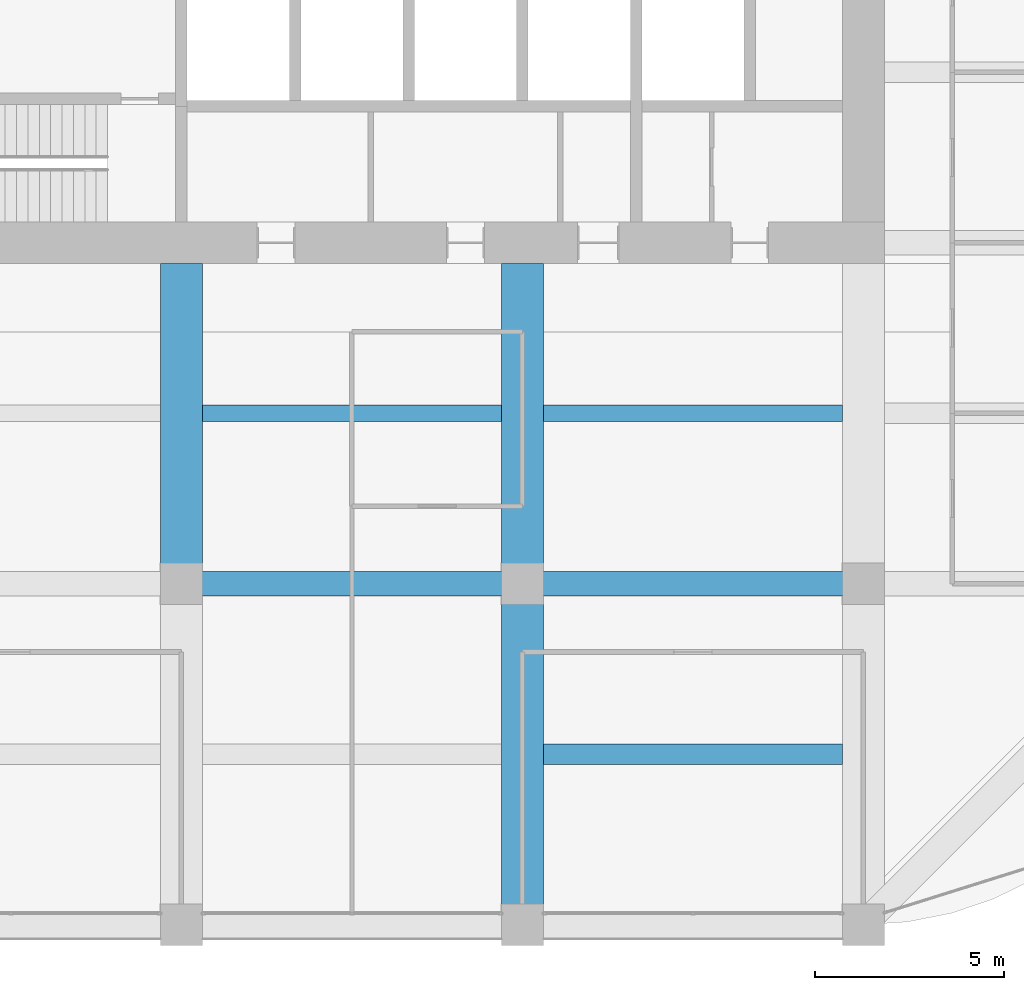
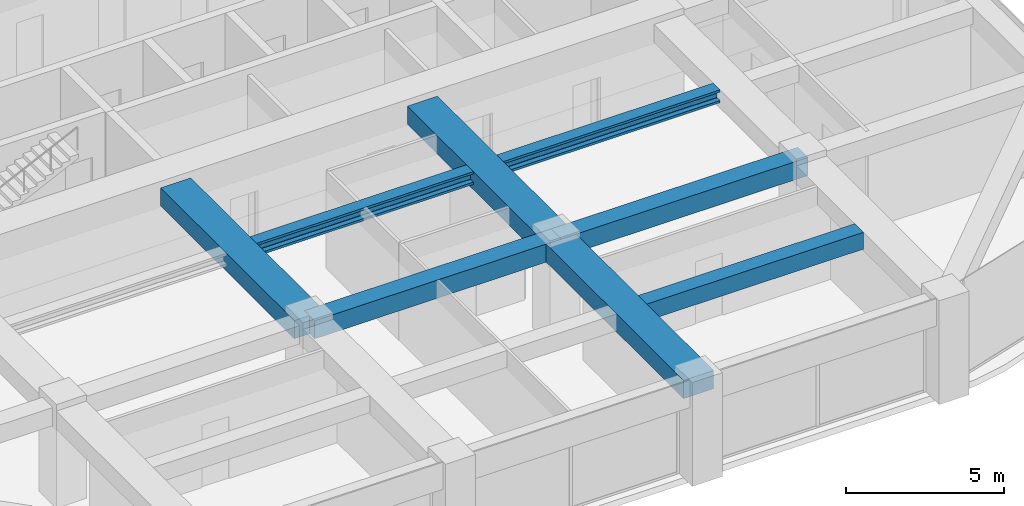
# One storey, part 12 of 44: 8 beams.
"""IFC4 building model written with IfcOpenShell, lengths in metres."""

import ifcopenshell
import ifcopenshell.guid

model = None  # the IFC model being written
_history = None  # IfcOwnerHistory: only IFC2X3 demands one
_inside = {}  # id of a spatial element -> (the spatial element, [elements in it])
_under = {}  # id of a project, library or spatial element -> (it, [spatial elements below it])
_declared = {}  # id of a project -> (the project, [libraries it declares])
_typed = {}  # id of a type object -> (the type object, [elements of that type])
_made_of = {}  # id of a material, layer set ... -> (it, [elements and type objects made of it])


def new_model(schema):
    """Start an empty IFC model of exactly this schema.

    Asked for "IFC4X3", IfcOpenShell would pick the latest addendum, in which some entities
    have other attributes; the version numbers below select the first issue.
    IFC2X3 requires an IfcOwnerHistory on every rooted entity: one is made here for all.
    """
    global model, _history
    if schema == "IFC4X3":
        model = ifcopenshell.file(schema_version=(4, 3, 0, 0))
    else:
        model = ifcopenshell.file(schema=schema)
    _inside.clear()
    _under.clear()
    _declared.clear()
    _typed.clear()
    _made_of.clear()
    _history = None
    if model.schema == "IFC2X3":
        org = make("IfcOrganization", Name="unknown")
        user = make(
            "IfcPersonAndOrganization",
            ThePerson=make("IfcPerson", FamilyName="unknown"),
            TheOrganization=org,
        )
        app = make(
            "IfcApplication",
            ApplicationDeveloper=org,
            Version="unknown",
            ApplicationFullName="unknown",
            ApplicationIdentifier="unknown",
        )
        _history = make(
            "IfcOwnerHistory",
            OwningUser=user,
            OwningApplication=app,
            ChangeAction="ADDED",
            CreationDate=0,
        )
    return model


def make(cls, **values):
    """One entity of the class cls with the attributes given. An attribute that is None is left unset."""
    return model.create_entity(
        cls, **{name: value for name, value in values.items() if value is not None}
    )


def rooted(cls, **values):
    """An entity with a GlobalId (a new one), such as an element, a storey or a relation."""
    return make(cls, GlobalId=ifcopenshell.guid.new(), OwnerHistory=_history, **values)


def si_unit(unit_type, name, prefix=None):
    """IfcSIUnit, for example si_unit("LENGTHUNIT", "METRE", prefix="MILLI")."""
    return make("IfcSIUnit", UnitType=unit_type, Prefix=prefix, Name=name)


def assignment(units):
    """IfcUnitAssignment: the units of a project."""
    return None if units is None else make("IfcUnitAssignment", Units=units)


def point(xyz):
    """IfcCartesianPoint."""
    return None if xyz is None else make("IfcCartesianPoint", Coordinates=xyz)


def direction(xyz):
    """IfcDirection."""
    return None if xyz is None else make("IfcDirection", DirectionRatios=xyz)


def frame(location, z_axis=None, x_axis=None):
    """IfcAxis2Placement3D, a coordinate frame: its origin and axes. An axis left out is left unset."""
    return make(
        "IfcAxis2Placement3D",
        Location=point(location),
        Axis=direction(z_axis),
        RefDirection=direction(x_axis),
    )


def frame_2d(location, x_axis=None):
    """IfcAxis2Placement2D, a coordinate frame in the plane: its origin and x axis."""
    return make(
        "IfcAxis2Placement2D", Location=point(location), RefDirection=direction(x_axis)
    )


def origin():
    """The frame at (0, 0, 0) with its axes left unset."""
    return frame((0.0, 0.0, 0.0))


def origin_2d():
    """The frame at (0, 0) in the plane with its x axis left unset."""
    return frame_2d((0.0, 0.0))


def place(relative_to, where):
    """IfcLocalPlacement: puts the frame where relative to a parent placement (None: the world)."""
    return make(
        "IfcLocalPlacement", PlacementRelTo=relative_to, RelativePlacement=where
    )


def context(
    kind, dimensions, precision=None, world=None, true_north=None, identifier=None
):
    """IfcGeometricRepresentationContext, for example the 3D "Model" context."""
    return make(
        "IfcGeometricRepresentationContext",
        ContextIdentifier=identifier,
        ContextType=kind,
        CoordinateSpaceDimension=dimensions,
        Precision=precision,
        WorldCoordinateSystem=world,
        TrueNorth=true_north,
    )


def subcontext(parent, identifier, kind, view, scale=None):
    """IfcGeometricRepresentationSubContext, for example "Body" below "Model"."""
    return make(
        "IfcGeometricRepresentationSubContext",
        ContextIdentifier=identifier,
        ContextType=kind,
        ParentContext=parent,
        TargetScale=scale,
        TargetView=view,
    )


def project(units=None, contexts=None):
    """IfcProject with its units and contexts."""
    return rooted(
        "IfcProject",
        Name="project",
        RepresentationContexts=contexts,
        UnitsInContext=assignment(units),
    )


def spatial(cls, under=None, at=None, **own):
    """A site, building, storey or space (cls), placed at a placement, below another one or the project."""
    s = rooted(cls, ObjectPlacement=at, **own)
    if under is not None:
        _under.setdefault(under.id(), (under, []))[1].append(s)
    return s


def profile(cls, at=None, kind="AREA", **sizes):
    """A parametric profile (cls). Its sizes go by their IFC names, for example OverallWidth=200.0."""
    return make(cls, ProfileType=kind, Position=at, **sizes)


def rectangle(**sizes):
    """IfcRectangleProfileDef."""
    return profile("IfcRectangleProfileDef", **sizes)


def i_section(**sizes):
    """IfcIShapeProfileDef."""
    return profile("IfcIShapeProfileDef", **sizes)


def extrude(swept, where, along, depth):
    """IfcExtrudedAreaSolid: the profile swept, set in the frame where, extruded along a direction by depth."""
    return make(
        "IfcExtrudedAreaSolid",
        SweptArea=swept,
        Position=where,
        ExtrudedDirection=direction(along),
        Depth=depth,
    )


def shape(context_of_items, identifier, shape_type, items):
    """IfcShapeRepresentation: the items that make up one representation, for example the "Body"."""
    return make(
        "IfcShapeRepresentation",
        ContextOfItems=context_of_items,
        RepresentationIdentifier=identifier,
        RepresentationType=shape_type,
        Items=items,
    )


def material(Name=None, Category=None):
    """IfcMaterial."""
    return make("IfcMaterial", Name=Name, Category=Category)


def material_profile(
    of_material, cross_section, Name=None, Category=None, Priority=None
):
    """IfcMaterialProfile: a cross section and its material."""
    return make(
        "IfcMaterialProfile",
        Name=Name,
        Material=of_material,
        Profile=cross_section,
        Priority=Priority,
        Category=Category,
    )


def profile_set(profiles, Name=None, composite=None):
    """IfcMaterialProfileSet."""
    return make(
        "IfcMaterialProfileSet",
        Name=Name,
        MaterialProfiles=profiles,
        CompositeProfile=composite,
    )


def made_of(thing, what):
    """Note that an element or type object is made of a material, layer set ...; save() writes the relation."""
    if what is not None:
        _made_of.setdefault(what.id(), (what, []))[1].append(thing)
    return thing


def type_object(cls, material=None, **own):
    """A type object (cls), such as IfcWallType, which elements share."""
    return made_of(rooted(cls, **own), material)


def element(
    cls,
    number,
    at=None,
    inside=None,
    cuts=None,
    type_object=None,
    material=None,
    context=None,
    identifier="Body",
    shape_type=None,
    held_by="IfcProductDefinitionShape",
    body=None,
    shapes=None,
    **own,
):
    """One element of the class cls, such as IfcWall. Its Tag is "e" and its number.

    at: its placement. inside: the storey or other place that contains it. cuts: it is an
    opening in that element (IfcRelVoidsElement). A single representation is given by context,
    identifier, shape_type and body (its items); several are given by shapes. held_by: the class
    of the entity that holds the representations. save() writes the other relations.
    """
    e = rooted(cls, Tag="e%d" % number, ObjectPlacement=at, **own)
    if body is not None:
        shapes = [shape(context, identifier, shape_type, body)]
    if shapes is not None:
        e.Representation = make(held_by, Representations=shapes)
    if inside is not None:
        _inside.setdefault(inside.id(), (inside, []))[1].append(e)
    if cuts is not None:
        rooted(
            "IfcRelVoidsElement", RelatingBuildingElement=cuts, RelatedOpeningElement=e
        )
    if type_object is not None:
        _typed.setdefault(type_object.id(), (type_object, []))[1].append(e)
    return made_of(e, material)


def aggregate(whole, parts):
    """IfcRelAggregates: a whole, such as a stair, and the parts it consists of."""
    return rooted("IfcRelAggregates", RelatingObject=whole, RelatedObjects=parts)


def save(model, path):
    """Write the relations noted so far, then the file.

    IfcRelAggregates (storeys below a building ...), IfcRelContainedInSpatialStructure (elements
    in a storey), IfcRelDefinesByType, IfcRelAssociatesMaterial and IfcRelDeclares: one each for
    every whole, place, type object, material and project.
    """
    for whole, parts in _under.values():
        aggregate(whole, parts)
    for where, things in _inside.values():
        rooted(
            "IfcRelContainedInSpatialStructure",
            RelatedElements=things,
            RelatingStructure=where,
        )
    for kind, things in _typed.values():
        rooted("IfcRelDefinesByType", RelatedObjects=things, RelatingType=kind)
    for what, things in _made_of.values():
        rooted("IfcRelAssociatesMaterial", RelatedObjects=things, RelatingMaterial=what)
    for by, libraries in _declared.values():
        rooted("IfcRelDeclares", RelatingContext=by, RelatedDefinitions=libraries)
    model.write(path)


model = new_model("IFC4")

# Units and contexts
model_context = context("Model", 3, precision=1e-05, world=origin(), true_north=direction((0.0, 1.0)))
body_context = subcontext(model_context, "Body", "Model", "MODEL_VIEW")
ifc_project = project(units=[si_unit("LENGTHUNIT", "METRE"), si_unit("AREAUNIT", "SQUARE_METRE"), si_unit("VOLUMEUNIT", "CUBIC_METRE"), si_unit("PLANEANGLEUNIT", "RADIAN"), si_unit("MASSUNIT", "GRAM", prefix="KILO")], contexts=[model_context])

# Site, building, storey
site_placement = place(None, origin())
site = spatial("IfcSite", under=ifc_project, at=site_placement, CompositionType="ELEMENT")
building_placement = place(site_placement, origin())
building = spatial("IfcBuilding", under=site, at=building_placement, Name="Zorevar Civic Tower", CompositionType="ELEMENT")
storey_placement = place(building_placement, frame((0.0, 0.0, 271.39990234375)))
storey = spatial("IfcBuildingStorey", under=building, at=storey_placement, Name="L66", CompositionType="ELEMENT", Elevation=271.39990234375)

# Beams
ifc_material_1 = material(Name="Concrete C50/60", Category="concrete")
ifc_material_profile_1 = material_profile(ifc_material_1, rectangle(XDim=1.10009765625, YDim=0.699951171875, at=origin_2d()), Name="RC 1100x700")
ifc_profile_set_1 = profile_set([ifc_material_profile_1], Name="Concrete C50/60")
beam_type_1 = type_object("IfcBeamType", Name="Beam RC 1100x700", PredefinedType="BEAM", material=ifc_profile_set_1)
beam_1_placement = place(storey_placement, frame((27.0, 9.0, 3.400146484375), z_axis=(0.0, 1.0, 0.0), x_axis=(-1.0, 0.0, 0.0)))
element("IfcBeam", 1, at=beam_1_placement, inside=storey, type_object=beam_type_1, Name="Girder L67", PredefinedType="BEAM", context=body_context, shape_type="SweptSolid", body=[
    extrude(rectangle(XDim=1.10009765625, YDim=0.699951171875, at=origin_2d()), origin(), (0.0, 0.0, 1.0), 8.449951171875),
])
beam_2_placement = place(storey_placement, frame((36.0, 0.0, 3.400146484375), z_axis=(0.0, 1.0, 0.0), x_axis=(-1.0, 0.0, 0.0)))
element("IfcBeam", 2, at=beam_2_placement, inside=storey, type_object=beam_type_1, Name="Girder L67", PredefinedType="BEAM", context=body_context, shape_type="SweptSolid", body=[
    extrude(rectangle(XDim=1.10009765625, YDim=0.699951171875, at=origin_2d()), origin(), (0.0, 0.0, 1.0), 9.0),
])
beam_3_placement = place(storey_placement, frame((36.0, 9.0, 3.400146484375), z_axis=(0.0, 1.0, 0.0), x_axis=(-1.0, 0.0, 0.0)))
element("IfcBeam", 3, at=beam_3_placement, inside=storey, type_object=beam_type_1, Name="Girder L67", PredefinedType="BEAM", context=body_context, shape_type="SweptSolid", body=[
    extrude(rectangle(XDim=1.10009765625, YDim=0.699951171875, at=origin_2d()), origin(), (0.0, 0.0, 1.0), 8.449951171875),
])
ifc_material_2 = material(Name="Concrete C50/60", Category="concrete")
ifc_material_profile_2 = material_profile(ifc_material_2, rectangle(XDim=0.550048828125, YDim=0.64990234375, at=origin_2d()), Name="RC 550x650")
ifc_profile_set_2 = profile_set([ifc_material_profile_2], Name="Concrete C50/60")
beam_type_2 = type_object("IfcBeamType", Name="Beam RC 550x650", PredefinedType="BEAM", material=ifc_profile_set_2)
beam_4_placement = place(storey_placement, frame((36.550048828125, 4.5, 3.425048828125), z_axis=(1.0, 0.0, 0.0), x_axis=(0.0, 1.0, 0.0)))
element("IfcBeam", 4, at=beam_4_placement, inside=storey, type_object=beam_type_2, Name="Secondary beam L67", PredefinedType="BEAM", context=body_context, shape_type="SweptSolid", body=[
    extrude(rectangle(XDim=0.550048828125, YDim=0.64990234375, at=origin_2d()), origin(), (0.0, 0.0, 1.0), 7.89990234375),
])
ifc_material_3 = material(Name="Concrete C50/60", Category="concrete")
ifc_material_profile_3 = material_profile(ifc_material_3, rectangle(XDim=0.64990234375, YDim=0.699951171875, at=origin_2d()), Name="RC 650x700")
ifc_profile_set_3 = profile_set([ifc_material_profile_3], Name="Concrete C50/60")
beam_type_3 = type_object("IfcBeamType", Name="Beam RC 650x700", PredefinedType="BEAM", material=ifc_profile_set_3)
for number, where, z_axis, x_axis, name in (
    (5, (27.0, 9.0, 3.400146484375), (1.0, 0.0, 0.0), (0.0, 1.0, 0.0), "Girder L67"),
    (6, (36.0, 9.0, 3.400146484375), (1.0, 0.0, 0.0), (0.0, 1.0, 0.0), "Girder L67"),
):
    element("IfcBeam", number, at=place(storey_placement, frame(where, z_axis=z_axis, x_axis=x_axis)), inside=storey, type_object=beam_type_3, Name=name, PredefinedType="BEAM", context=body_context, shape_type="SweptSolid", body=[
        extrude(rectangle(XDim=0.64990234375, YDim=0.699951171875, at=origin_2d()), origin(), (0.0, 0.0, 1.0), 9.0),
    ])
ifc_material_4 = material(Name="Steel S460M (HISTAR 460)", Category="steel")
ifc_material_profile_4 = material_profile(ifc_material_4, i_section(OverallWidth=0.431884765625, OverallDepth=0.498046875, WebThickness=0.0556640625, FlangeThickness=0.0888671875, FilletRadius=0.014892578125, at=origin_2d()), Name="HD 400x744")
ifc_profile_set_4 = profile_set([ifc_material_profile_4], Name="Steel S460M (HISTAR 460)")
beam_type_4 = type_object("IfcBeamType", Name="Core bay beam HD 400x744", PredefinedType="BEAM", material=ifc_profile_set_4)
for number, where, z_axis, x_axis, name in (
    (7, (27.550048828125, 13.5, 3.5009765625), (1.0, 0.0, 0.0), (0.0, 1.0, 0.0), "Secondary beam L67"),
    (8, (36.550048828125, 13.5, 3.5009765625), (1.0, 0.0, 0.0), (0.0, 1.0, 0.0), "Secondary beam L67"),
):
    element("IfcBeam", number, at=place(storey_placement, frame(where, z_axis=z_axis, x_axis=x_axis)), inside=storey, type_object=beam_type_4, Name=name, PredefinedType="BEAM", context=body_context, shape_type="SweptSolid", body=[
        extrude(i_section(OverallWidth=0.431884765625, OverallDepth=0.498046875, WebThickness=0.0556640625, FlangeThickness=0.0888671875, FilletRadius=0.014892578125, at=origin_2d()), origin(), (0.0, 0.0, 1.0), 7.89990234375),
    ])

save(model, "model.ifc")
